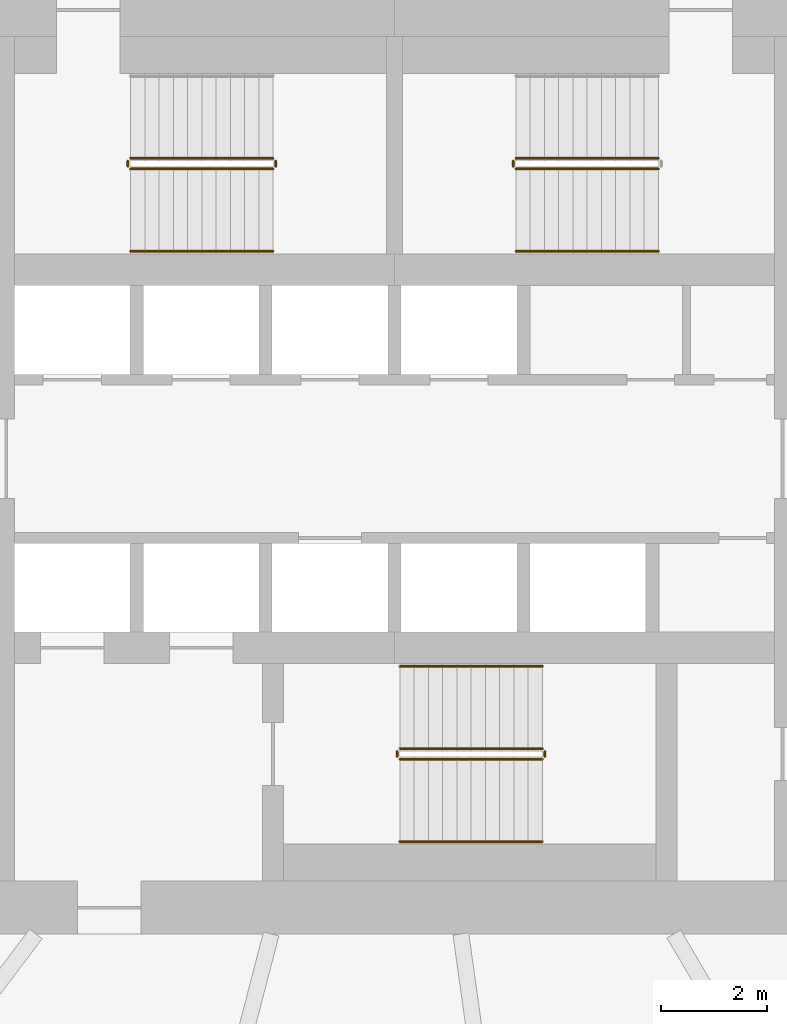
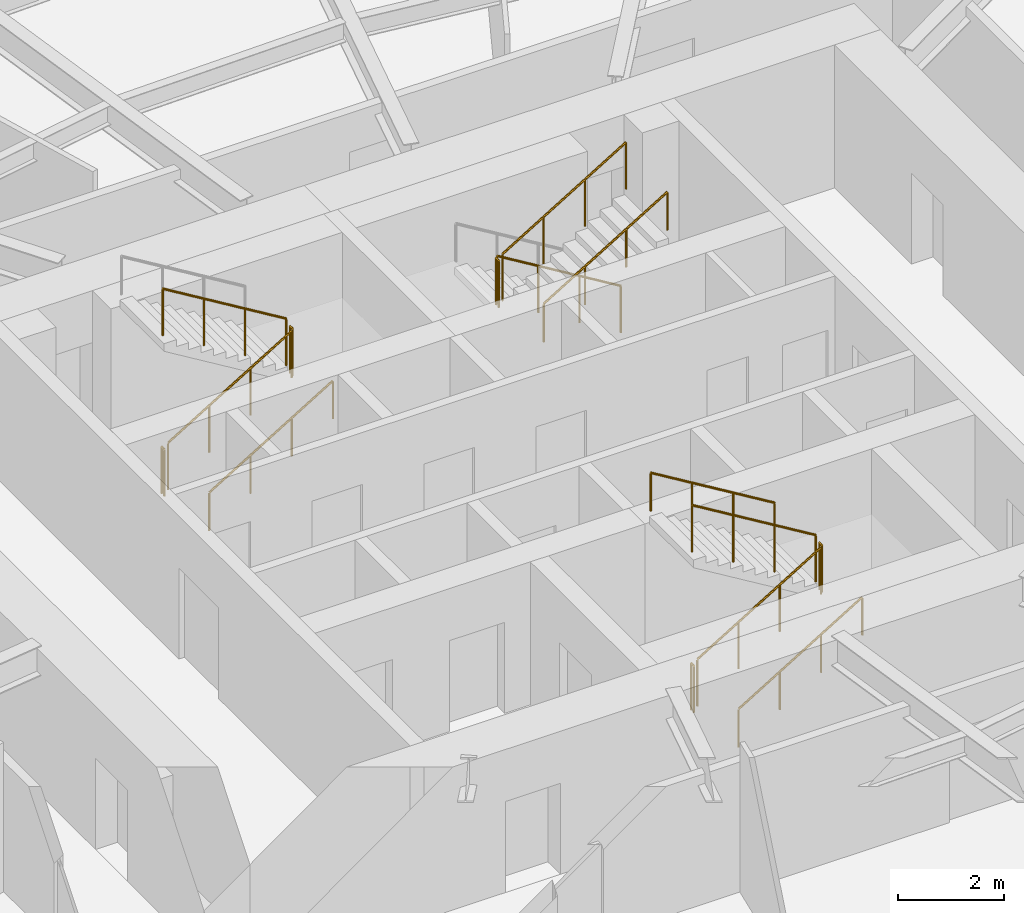
# One storey, part 12 of 16: 15 railings.
"""IFC4 building model written with IfcOpenShell, lengths in metres."""

from ifc_helpers import new_model, si_unit, direction, frame, origin, origin_2d, place, context, subcontext, project, spatial, circle, extrude, material, type_object, element, save


model = new_model("IFC4")

# Units and contexts
model_context = context("Model", 3, precision=1e-05, world=origin(), true_north=direction((0.0, 1.0)))
body_context = subcontext(model_context, "Body", "Model", "MODEL_VIEW")
ifc_project = project(units=[si_unit("LENGTHUNIT", "METRE"), si_unit("AREAUNIT", "SQUARE_METRE"), si_unit("VOLUMEUNIT", "CUBIC_METRE"), si_unit("PLANEANGLEUNIT", "RADIAN"), si_unit("MASSUNIT", "GRAM", prefix="KILO")], contexts=[model_context])

# Site, building, storey
site_placement = place(None, origin())
site = spatial("IfcSite", under=ifc_project, at=site_placement, CompositionType="ELEMENT")
building_placement = place(site_placement, origin())
building = spatial("IfcBuilding", under=site, at=building_placement, Name="Vermilion Reach Broadcast Tower", CompositionType="ELEMENT")
storey_placement = place(building_placement, frame((0.0, 0.0, 99.39990234375)))
storey = spatial("IfcBuildingStorey", under=building, at=storey_placement, Name="L22", CompositionType="ELEMENT", Elevation=99.39990234375)

# Railings
ifc_material_1 = material(Name="Stainless steel", Category="steel")
railing_type_1 = type_object("IfcRailingType", Name="Stair guard 1100", PredefinedType="GUARDRAIL", material=ifc_material_1)
railing_1_placement = place(storey_placement, frame((-11.0, 5.489990234375, 0.163818359375)))
element("IfcRailing", 1, at=railing_1_placement, inside=storey, type_object=railing_type_1, Name="L22 ST1 stair guard 1", PredefinedType="GUARDRAIL", context=body_context, shape_type="SweptSolid", body=[
    extrude(circle(Radius=0.02392578125, at=origin_2d()), frame((0.0, 0.0, 1.076171875), z_axis=(0.855212373127, 0.0, 0.518277721738), x_axis=(0.0, 1.0, 0.0)), (0.0, 0.0, 1.0), 3.156982421875),
    extrude(circle(Radius=0.02099609375, at=origin_2d()), origin(), (0.0, 0.0, 1.0), 1.052001953125),
    extrude(circle(Radius=0.02099609375, at=origin_2d()), frame((0.89990234375, 0.0, 0.54541015625)), (0.0, 0.0, 1.0), 1.052001953125),
    extrude(circle(Radius=0.02099609375, at=origin_2d()), frame((1.800048828125, 0.0, 1.0908203125)), (0.0, 0.0, 1.0), 1.052001953125),
    extrude(circle(Radius=0.02099609375, at=origin_2d()), frame((2.699951171875, 0.0, 1.63623046875)), (0.0, 0.0, 1.0), 1.052001953125),
])
railing_2_placement = place(storey_placement, frame((-8.25, 5.5400390625, 1.800048828125)))
element("IfcRailing", 2, at=railing_2_placement, inside=storey, type_object=railing_type_1, Name="L22 ST1 stair guard 2", PredefinedType="GUARDRAIL", context=body_context, shape_type="SweptSolid", body=[
    extrude(circle(Radius=0.02392578125, at=origin_2d()), frame((0.0, 0.0, 1.076171875), z_axis=(0.0, 1.0, 0.0), x_axis=(-1.0, 0.0, 0.0)), (0.0, 0.0, 1.0), 0.099853515625),
    extrude(circle(Radius=0.02099609375, at=origin_2d()), origin(), (0.0, 0.0, 1.0), 1.052001953125),
    extrude(circle(Radius=0.02099609375, at=origin_2d()), frame((0.0, 0.099853515625, 0.0)), (0.0, 0.0, 1.0), 1.052001953125),
])
railing_3_placement = place(storey_placement, frame((-8.300048828125, 5.68994140625, 1.963623046875)))
element("IfcRailing", 3, at=railing_3_placement, inside=storey, type_object=railing_type_1, Name="L22 ST1 stair guard 3", PredefinedType="GUARDRAIL", context=body_context, shape_type="SweptSolid", body=[
    extrude(circle(Radius=0.02392578125, at=origin_2d()), frame((0.0, 0.0, 1.076171875), z_axis=(-0.855178096276, 0.0, 0.518334277904), x_axis=(0.0, -1.0, 0.0)), (0.0, 0.0, 1.0), 3.1572265625),
    extrude(circle(Radius=0.02099609375, at=origin_2d()), origin(), (0.0, 0.0, 1.0), 1.052001953125),
    extrude(circle(Radius=0.02099609375, at=origin_2d()), frame((-0.89990234375, 0.0, 0.54541015625)), (0.0, 0.0, 1.0), 1.052001953125),
    extrude(circle(Radius=0.02099609375, at=origin_2d()), frame((-1.800048828125, 0.0, 1.091064453125)), (0.0, 0.0, 1.0), 1.052001953125),
    extrude(circle(Radius=0.02099609375, at=origin_2d()), frame((-2.699951171875, 0.0, 1.636474609375)), (0.0, 0.0, 1.0), 1.052001953125),
])
railing_4_placement = place(storey_placement, frame((-11.050048828125, 5.5400390625, 0.0)))
element("IfcRailing", 4, at=railing_4_placement, inside=storey, type_object=railing_type_1, Name="L22 ST1 stair guard 4", PredefinedType="GUARDRAIL", context=body_context, shape_type="SweptSolid", body=[
    extrude(circle(Radius=0.02392578125, at=origin_2d()), frame((0.0, 0.0, 1.076171875), z_axis=(0.0, 1.0, 0.0), x_axis=(-1.0, 0.0, 0.0)), (0.0, 0.0, 1.0), 0.099853515625),
    extrude(circle(Radius=0.02099609375, at=origin_2d()), origin(), (0.0, 0.0, 1.0), 1.052001953125),
    extrude(circle(Radius=0.02099609375, at=origin_2d()), frame((0.0, 0.099853515625, 0.0)), (0.0, 0.0, 1.0), 1.052001953125),
])
railing_5_placement = place(storey_placement, frame((-1.0, 5.68994140625, 0.163818359375)))
element("IfcRailing", 5, at=railing_5_placement, inside=storey, type_object=railing_type_1, Name="L22 ST2 stair guard 1", PredefinedType="GUARDRAIL", context=body_context, shape_type="SweptSolid", body=[
    extrude(circle(Radius=0.02392578125, at=origin_2d()), frame((0.0, 0.0, 1.076171875), z_axis=(-0.855212373127, 0.0, 0.518277721738), x_axis=(0.0, -1.0, 0.0)), (0.0, 0.0, 1.0), 3.156982421875),
    extrude(circle(Radius=0.02099609375, at=origin_2d()), origin(), (0.0, 0.0, 1.0), 1.052001953125),
    extrude(circle(Radius=0.02099609375, at=origin_2d()), frame((-0.89990234375, 0.0, 0.54541015625)), (0.0, 0.0, 1.0), 1.052001953125),
    extrude(circle(Radius=0.02099609375, at=origin_2d()), frame((-1.800048828125, 0.0, 1.0908203125)), (0.0, 0.0, 1.0), 1.052001953125),
    extrude(circle(Radius=0.02099609375, at=origin_2d()), frame((-2.699951171875, 0.0, 1.63623046875)), (0.0, 0.0, 1.0), 1.052001953125),
])
railing_6_placement = place(storey_placement, frame((-3.75, 5.639892578125, 1.800048828125)))
element("IfcRailing", 6, at=railing_6_placement, inside=storey, type_object=railing_type_1, Name="L22 ST2 stair guard 2", PredefinedType="GUARDRAIL", context=body_context, shape_type="SweptSolid", body=[
    extrude(circle(Radius=0.02392578125, at=origin_2d()), frame((0.0, 0.0, 1.076171875), z_axis=(0.0, -1.0, 0.0), x_axis=(1.0, 0.0, 0.0)), (0.0, 0.0, 1.0), 0.099853515625),
    extrude(circle(Radius=0.02099609375, at=origin_2d()), origin(), (0.0, 0.0, 1.0), 1.052001953125),
    extrude(circle(Radius=0.02099609375, at=origin_2d()), frame((0.0, -0.099853515625, 0.0)), (0.0, 0.0, 1.0), 1.052001953125),
])
railing_7_placement = place(storey_placement, frame((-3.699951171875, 5.489990234375, 1.963623046875)))
element("IfcRailing", 7, at=railing_7_placement, inside=storey, type_object=railing_type_1, Name="L22 ST2 stair guard 3", PredefinedType="GUARDRAIL", context=body_context, shape_type="SweptSolid", body=[
    extrude(circle(Radius=0.02392578125, at=origin_2d()), frame((0.0, 0.0, 1.076171875), z_axis=(0.855178096276, 0.0, 0.518334277904), x_axis=(0.0, 1.0, 0.0)), (0.0, 0.0, 1.0), 3.1572265625),
    extrude(circle(Radius=0.02099609375, at=origin_2d()), origin(), (0.0, 0.0, 1.0), 1.052001953125),
    extrude(circle(Radius=0.02099609375, at=origin_2d()), frame((0.89990234375, 0.0, 0.54541015625)), (0.0, 0.0, 1.0), 1.052001953125),
    extrude(circle(Radius=0.02099609375, at=origin_2d()), frame((1.800048828125, 0.0, 1.091064453125)), (0.0, 0.0, 1.0), 1.052001953125),
    extrude(circle(Radius=0.02099609375, at=origin_2d()), frame((2.699951171875, 0.0, 1.636474609375)), (0.0, 0.0, 1.0), 1.052001953125),
])
railing_8_placement = place(storey_placement, frame((-5.89990234375, -5.68994140625, 0.163818359375)))
element("IfcRailing", 8, at=railing_8_placement, inside=storey, type_object=railing_type_1, Name="L22 ST3 stair guard 1", PredefinedType="GUARDRAIL", context=body_context, shape_type="SweptSolid", body=[
    extrude(circle(Radius=0.02392578125, at=origin_2d()), frame((0.0, 0.0, 1.076171875), z_axis=(0.855212373127, 0.0, 0.518277721738), x_axis=(0.0, 1.0, 0.0)), (0.0, 0.0, 1.0), 3.156982421875),
    extrude(circle(Radius=0.02099609375, at=origin_2d()), origin(), (0.0, 0.0, 1.0), 1.052001953125),
    extrude(circle(Radius=0.02099609375, at=origin_2d()), frame((0.89990234375, 0.0, 0.54541015625)), (0.0, 0.0, 1.0), 1.052001953125),
    extrude(circle(Radius=0.02099609375, at=origin_2d()), frame((1.800048828125, 0.0, 1.0908203125)), (0.0, 0.0, 1.0), 1.052001953125),
    extrude(circle(Radius=0.02099609375, at=origin_2d()), frame((2.699951171875, 0.0, 1.63623046875)), (0.0, 0.0, 1.0), 1.052001953125),
])
railing_9_placement = place(storey_placement, frame((-3.14990234375, -5.639892578125, 1.800048828125)))
element("IfcRailing", 9, at=railing_9_placement, inside=storey, type_object=railing_type_1, Name="L22 ST3 stair guard 2", PredefinedType="GUARDRAIL", context=body_context, shape_type="SweptSolid", body=[
    extrude(circle(Radius=0.02392578125, at=origin_2d()), frame((0.0, 0.0, 1.076171875), z_axis=(0.0, 1.0, 0.0), x_axis=(-1.0, 0.0, 0.0)), (0.0, 0.0, 1.0), 0.099853515625),
    extrude(circle(Radius=0.02099609375, at=origin_2d()), origin(), (0.0, 0.0, 1.0), 1.052001953125),
    extrude(circle(Radius=0.02099609375, at=origin_2d()), frame((0.0, 0.099853515625, 0.0)), (0.0, 0.0, 1.0), 1.052001953125),
])
railing_10_placement = place(storey_placement, frame((-3.199951171875, -5.489990234375, 1.963623046875)))
element("IfcRailing", 10, at=railing_10_placement, inside=storey, type_object=railing_type_1, Name="L22 ST3 stair guard 3", PredefinedType="GUARDRAIL", context=body_context, shape_type="SweptSolid", body=[
    extrude(circle(Radius=0.02392578125, at=origin_2d()), frame((0.0, 0.0, 1.076171875), z_axis=(-0.855178096276, 0.0, 0.518334277904), x_axis=(0.0, -1.0, 0.0)), (0.0, 0.0, 1.0), 3.1572265625),
    extrude(circle(Radius=0.02099609375, at=origin_2d()), origin(), (0.0, 0.0, 1.0), 1.052001953125),
    extrude(circle(Radius=0.02099609375, at=origin_2d()), frame((-0.89990234375, 0.0, 0.54541015625)), (0.0, 0.0, 1.0), 1.052001953125),
    extrude(circle(Radius=0.02099609375, at=origin_2d()), frame((-1.800048828125, 0.0, 1.091064453125)), (0.0, 0.0, 1.0), 1.052001953125),
    extrude(circle(Radius=0.02099609375, at=origin_2d()), frame((-2.699951171875, 0.0, 1.636474609375)), (0.0, 0.0, 1.0), 1.052001953125),
])
railing_11_placement = place(storey_placement, frame((-5.949951171875, -5.639892578125, 0.0)))
element("IfcRailing", 11, at=railing_11_placement, inside=storey, type_object=railing_type_1, Name="L22 ST3 stair guard 4", PredefinedType="GUARDRAIL", context=body_context, shape_type="SweptSolid", body=[
    extrude(circle(Radius=0.02392578125, at=origin_2d()), frame((0.0, 0.0, 1.076171875), z_axis=(0.0, 1.0, 0.0), x_axis=(-1.0, 0.0, 0.0)), (0.0, 0.0, 1.0), 0.099853515625),
    extrude(circle(Radius=0.02099609375, at=origin_2d()), origin(), (0.0, 0.0, 1.0), 1.052001953125),
    extrude(circle(Radius=0.02099609375, at=origin_2d()), frame((0.0, 0.099853515625, 0.0)), (0.0, 0.0, 1.0), 1.052001953125),
])
ifc_material_2 = material(Name="Stainless steel", Category="steel")
railing_type_2 = type_object("IfcRailingType", Name="Stair handrail", PredefinedType="HANDRAIL", material=ifc_material_2)
railing_12_placement = place(storey_placement, frame((-11.0, 3.929931640625, 0.163818359375)))
element("IfcRailing", 12, at=railing_12_placement, inside=storey, type_object=railing_type_2, Name="L22 ST1 stair handrail 1", PredefinedType="HANDRAIL", context=body_context, shape_type="SweptSolid", body=[
    extrude(circle(Radius=0.02392578125, at=origin_2d()), frame((0.0, 0.0, 0.8759765625), z_axis=(0.855212373127, 0.0, 0.518277721738), x_axis=(0.0, 1.0, 0.0)), (0.0, 0.0, 1.0), 3.156982421875),
    extrude(circle(Radius=0.02099609375, at=origin_2d()), origin(), (0.0, 0.0, 1.0), 0.851806640625),
    extrude(circle(Radius=0.02099609375, at=origin_2d()), frame((0.89990234375, 0.0, 0.54541015625)), (0.0, 0.0, 1.0), 0.851806640625),
    extrude(circle(Radius=0.02099609375, at=origin_2d()), frame((1.800048828125, 0.0, 1.0908203125)), (0.0, 0.0, 1.0), 0.851806640625),
    extrude(circle(Radius=0.02099609375, at=origin_2d()), frame((2.699951171875, 0.0, 1.63623046875)), (0.0, 0.0, 1.0), 0.851806640625),
])
railing_13_placement = place(storey_placement, frame((-3.699951171875, 3.929931640625, 1.963623046875)))
element("IfcRailing", 13, at=railing_13_placement, inside=storey, type_object=railing_type_2, Name="L22 ST2 stair handrail 2", PredefinedType="HANDRAIL", context=body_context, shape_type="SweptSolid", body=[
    extrude(circle(Radius=0.02392578125, at=origin_2d()), frame((0.0, 0.0, 0.8759765625), z_axis=(0.855178096276, 0.0, 0.518334277904), x_axis=(0.0, 1.0, 0.0)), (0.0, 0.0, 1.0), 3.1572265625),
    extrude(circle(Radius=0.02099609375, at=origin_2d()), origin(), (0.0, 0.0, 1.0), 0.851806640625),
    extrude(circle(Radius=0.02099609375, at=origin_2d()), frame((0.89990234375, 0.0, 0.54541015625)), (0.0, 0.0, 1.0), 0.851806640625),
    extrude(circle(Radius=0.02099609375, at=origin_2d()), frame((1.800048828125, 0.0, 1.091064453125)), (0.0, 0.0, 1.0), 0.851806640625),
    extrude(circle(Radius=0.02099609375, at=origin_2d()), frame((2.699951171875, 0.0, 1.636474609375)), (0.0, 0.0, 1.0), 0.851806640625),
])
railing_14_placement = place(storey_placement, frame((-5.89990234375, -7.25, 0.163818359375)))
element("IfcRailing", 14, at=railing_14_placement, inside=storey, type_object=railing_type_2, Name="L22 ST3 stair handrail 1", PredefinedType="HANDRAIL", context=body_context, shape_type="SweptSolid", body=[
    extrude(circle(Radius=0.02392578125, at=origin_2d()), frame((0.0, 0.0, 0.8759765625), z_axis=(0.855212373127, 0.0, 0.518277721738), x_axis=(0.0, 1.0, 0.0)), (0.0, 0.0, 1.0), 3.156982421875),
    extrude(circle(Radius=0.02099609375, at=origin_2d()), origin(), (0.0, 0.0, 1.0), 0.851806640625),
    extrude(circle(Radius=0.02099609375, at=origin_2d()), frame((0.89990234375, 0.0, 0.54541015625)), (0.0, 0.0, 1.0), 0.851806640625),
    extrude(circle(Radius=0.02099609375, at=origin_2d()), frame((1.800048828125, 0.0, 1.0908203125)), (0.0, 0.0, 1.0), 0.851806640625),
    extrude(circle(Radius=0.02099609375, at=origin_2d()), frame((2.699951171875, 0.0, 1.63623046875)), (0.0, 0.0, 1.0), 0.851806640625),
])
railing_15_placement = place(storey_placement, frame((-3.199951171875, -3.929931640625, 1.963623046875)))
element("IfcRailing", 15, at=railing_15_placement, inside=storey, type_object=railing_type_2, Name="L22 ST3 stair handrail 2", PredefinedType="HANDRAIL", context=body_context, shape_type="SweptSolid", body=[
    extrude(circle(Radius=0.02392578125, at=origin_2d()), frame((0.0, 0.0, 0.8759765625), z_axis=(-0.855178096276, 0.0, 0.518334277904), x_axis=(0.0, -1.0, 0.0)), (0.0, 0.0, 1.0), 3.1572265625),
    extrude(circle(Radius=0.02099609375, at=origin_2d()), origin(), (0.0, 0.0, 1.0), 0.851806640625),
    extrude(circle(Radius=0.02099609375, at=origin_2d()), frame((-0.89990234375, 0.0, 0.54541015625)), (0.0, 0.0, 1.0), 0.851806640625),
    extrude(circle(Radius=0.02099609375, at=origin_2d()), frame((-1.800048828125, 0.0, 1.091064453125)), (0.0, 0.0, 1.0), 0.851806640625),
    extrude(circle(Radius=0.02099609375, at=origin_2d()), frame((-2.699951171875, 0.0, 1.636474609375)), (0.0, 0.0, 1.0), 0.851806640625),
])

save(model, "model.ifc")
